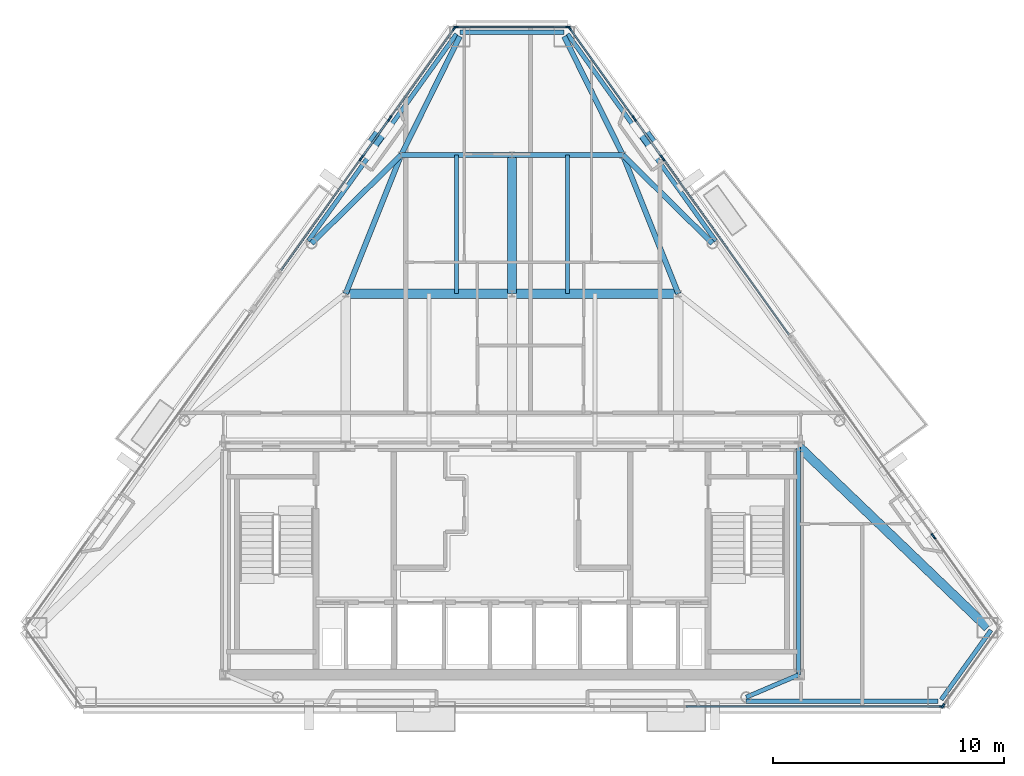
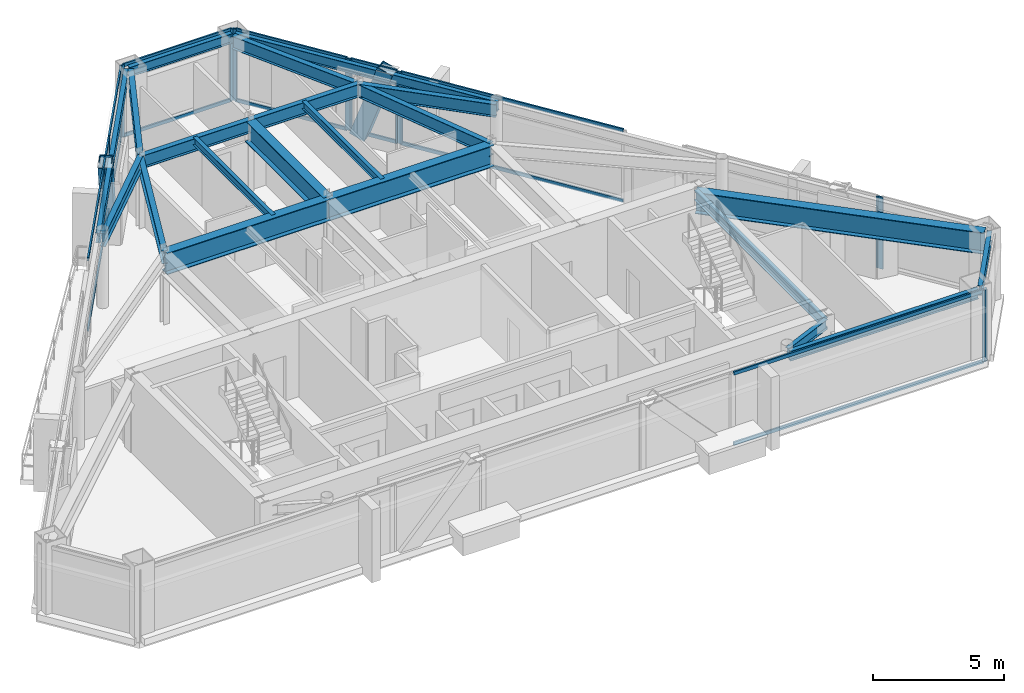
# One storey, part 5 of 12: 34 members, 21 beams, 11 elements without a shape of their own.
"""IFC4 building model written with IfcOpenShell, lengths in metres."""

import ifcopenshell
import ifcopenshell.guid

model = None  # the IFC model being written
_history = None  # IfcOwnerHistory: only IFC2X3 demands one
_inside = {}  # id of a spatial element -> (the spatial element, [elements in it])
_under = {}  # id of a project, library or spatial element -> (it, [spatial elements below it])
_declared = {}  # id of a project -> (the project, [libraries it declares])
_typed = {}  # id of a type object -> (the type object, [elements of that type])
_made_of = {}  # id of a material, layer set ... -> (it, [elements and type objects made of it])


def new_model(schema):
    """Start an empty IFC model of exactly this schema.

    Asked for "IFC4X3", IfcOpenShell would pick the latest addendum, in which some entities
    have other attributes; the version numbers below select the first issue.
    IFC2X3 requires an IfcOwnerHistory on every rooted entity: one is made here for all.
    """
    global model, _history
    if schema == "IFC4X3":
        model = ifcopenshell.file(schema_version=(4, 3, 0, 0))
    else:
        model = ifcopenshell.file(schema=schema)
    _inside.clear()
    _under.clear()
    _declared.clear()
    _typed.clear()
    _made_of.clear()
    _history = None
    if model.schema == "IFC2X3":
        org = make("IfcOrganization", Name="unknown")
        user = make(
            "IfcPersonAndOrganization",
            ThePerson=make("IfcPerson", FamilyName="unknown"),
            TheOrganization=org,
        )
        app = make(
            "IfcApplication",
            ApplicationDeveloper=org,
            Version="unknown",
            ApplicationFullName="unknown",
            ApplicationIdentifier="unknown",
        )
        _history = make(
            "IfcOwnerHistory",
            OwningUser=user,
            OwningApplication=app,
            ChangeAction="ADDED",
            CreationDate=0,
        )
    return model


def make(cls, **values):
    """One entity of the class cls with the attributes given. An attribute that is None is left unset."""
    return model.create_entity(
        cls, **{name: value for name, value in values.items() if value is not None}
    )


def rooted(cls, **values):
    """An entity with a GlobalId (a new one), such as an element, a storey or a relation."""
    return make(cls, GlobalId=ifcopenshell.guid.new(), OwnerHistory=_history, **values)


def si_unit(unit_type, name, prefix=None):
    """IfcSIUnit, for example si_unit("LENGTHUNIT", "METRE", prefix="MILLI")."""
    return make("IfcSIUnit", UnitType=unit_type, Prefix=prefix, Name=name)


def assignment(units):
    """IfcUnitAssignment: the units of a project."""
    return None if units is None else make("IfcUnitAssignment", Units=units)


def point(xyz):
    """IfcCartesianPoint."""
    return None if xyz is None else make("IfcCartesianPoint", Coordinates=xyz)


def direction(xyz):
    """IfcDirection."""
    return None if xyz is None else make("IfcDirection", DirectionRatios=xyz)


def frame(location, z_axis=None, x_axis=None):
    """IfcAxis2Placement3D, a coordinate frame: its origin and axes. An axis left out is left unset."""
    return make(
        "IfcAxis2Placement3D",
        Location=point(location),
        Axis=direction(z_axis),
        RefDirection=direction(x_axis),
    )


def frame_2d(location, x_axis=None):
    """IfcAxis2Placement2D, a coordinate frame in the plane: its origin and x axis."""
    return make(
        "IfcAxis2Placement2D", Location=point(location), RefDirection=direction(x_axis)
    )


def origin():
    """The frame at (0, 0, 0) with its axes left unset."""
    return frame((0.0, 0.0, 0.0))


def origin_2d():
    """The frame at (0, 0) in the plane with its x axis left unset."""
    return frame_2d((0.0, 0.0))


def place(relative_to, where):
    """IfcLocalPlacement: puts the frame where relative to a parent placement (None: the world)."""
    return make(
        "IfcLocalPlacement", PlacementRelTo=relative_to, RelativePlacement=where
    )


def context(
    kind, dimensions, precision=None, world=None, true_north=None, identifier=None
):
    """IfcGeometricRepresentationContext, for example the 3D "Model" context."""
    return make(
        "IfcGeometricRepresentationContext",
        ContextIdentifier=identifier,
        ContextType=kind,
        CoordinateSpaceDimension=dimensions,
        Precision=precision,
        WorldCoordinateSystem=world,
        TrueNorth=true_north,
    )


def subcontext(parent, identifier, kind, view, scale=None):
    """IfcGeometricRepresentationSubContext, for example "Body" below "Model"."""
    return make(
        "IfcGeometricRepresentationSubContext",
        ContextIdentifier=identifier,
        ContextType=kind,
        ParentContext=parent,
        TargetScale=scale,
        TargetView=view,
    )


def project(units=None, contexts=None):
    """IfcProject with its units and contexts."""
    return rooted(
        "IfcProject",
        Name="project",
        RepresentationContexts=contexts,
        UnitsInContext=assignment(units),
    )


def spatial(cls, under=None, at=None, **own):
    """A site, building, storey or space (cls), placed at a placement, below another one or the project."""
    s = rooted(cls, ObjectPlacement=at, **own)
    if under is not None:
        _under.setdefault(under.id(), (under, []))[1].append(s)
    return s


def profile(cls, at=None, kind="AREA", **sizes):
    """A parametric profile (cls). Its sizes go by their IFC names, for example OverallWidth=200.0."""
    return make(cls, ProfileType=kind, Position=at, **sizes)


def rectangle(**sizes):
    """IfcRectangleProfileDef."""
    return profile("IfcRectangleProfileDef", **sizes)


def hollow_rectangle(**sizes):
    """IfcRectangleHollowProfileDef."""
    return profile("IfcRectangleHollowProfileDef", **sizes)


def i_section(**sizes):
    """IfcIShapeProfileDef."""
    return profile("IfcIShapeProfileDef", **sizes)


def extrude(swept, where, along, depth):
    """IfcExtrudedAreaSolid: the profile swept, set in the frame where, extruded along a direction by depth."""
    return make(
        "IfcExtrudedAreaSolid",
        SweptArea=swept,
        Position=where,
        ExtrudedDirection=direction(along),
        Depth=depth,
    )


def shape(context_of_items, identifier, shape_type, items):
    """IfcShapeRepresentation: the items that make up one representation, for example the "Body"."""
    return make(
        "IfcShapeRepresentation",
        ContextOfItems=context_of_items,
        RepresentationIdentifier=identifier,
        RepresentationType=shape_type,
        Items=items,
    )


def material(Name=None, Category=None):
    """IfcMaterial."""
    return make("IfcMaterial", Name=Name, Category=Category)


def layer(
    of_material, thickness, ventilated=None, Name=None, Category=None, Priority=None
):
    """IfcMaterialLayer: one layer of a wall or slab, of a material (None: an air gap)."""
    return make(
        "IfcMaterialLayer",
        Material=of_material,
        LayerThickness=thickness,
        IsVentilated=ventilated,
        Name=Name,
        Category=Category,
        Priority=Priority,
    )


def layer_set(layers, Name=None):
    """IfcMaterialLayerSet."""
    return make("IfcMaterialLayerSet", MaterialLayers=layers, LayerSetName=Name)


def material_profile(
    of_material, cross_section, Name=None, Category=None, Priority=None
):
    """IfcMaterialProfile: a cross section and its material."""
    return make(
        "IfcMaterialProfile",
        Name=Name,
        Material=of_material,
        Profile=cross_section,
        Priority=Priority,
        Category=Category,
    )


def profile_set(profiles, Name=None, composite=None):
    """IfcMaterialProfileSet."""
    return make(
        "IfcMaterialProfileSet",
        Name=Name,
        MaterialProfiles=profiles,
        CompositeProfile=composite,
    )


def made_of(thing, what):
    """Note that an element or type object is made of a material, layer set ...; save() writes the relation."""
    if what is not None:
        _made_of.setdefault(what.id(), (what, []))[1].append(thing)
    return thing


def type_object(cls, material=None, **own):
    """A type object (cls), such as IfcWallType, which elements share."""
    return made_of(rooted(cls, **own), material)


def element(
    cls,
    number,
    at=None,
    inside=None,
    cuts=None,
    type_object=None,
    material=None,
    context=None,
    identifier="Body",
    shape_type=None,
    held_by="IfcProductDefinitionShape",
    body=None,
    shapes=None,
    **own,
):
    """One element of the class cls, such as IfcWall. Its Tag is "e" and its number.

    at: its placement. inside: the storey or other place that contains it. cuts: it is an
    opening in that element (IfcRelVoidsElement). A single representation is given by context,
    identifier, shape_type and body (its items); several are given by shapes. held_by: the class
    of the entity that holds the representations. save() writes the other relations.
    """
    e = rooted(cls, Tag="e%d" % number, ObjectPlacement=at, **own)
    if body is not None:
        shapes = [shape(context, identifier, shape_type, body)]
    if shapes is not None:
        e.Representation = make(held_by, Representations=shapes)
    if inside is not None:
        _inside.setdefault(inside.id(), (inside, []))[1].append(e)
    if cuts is not None:
        rooted(
            "IfcRelVoidsElement", RelatingBuildingElement=cuts, RelatedOpeningElement=e
        )
    if type_object is not None:
        _typed.setdefault(type_object.id(), (type_object, []))[1].append(e)
    return made_of(e, material)


def aggregate(whole, parts):
    """IfcRelAggregates: a whole, such as a stair, and the parts it consists of."""
    return rooted("IfcRelAggregates", RelatingObject=whole, RelatedObjects=parts)


def save(model, path):
    """Write the relations noted so far, then the file.

    IfcRelAggregates (storeys below a building ...), IfcRelContainedInSpatialStructure (elements
    in a storey), IfcRelDefinesByType, IfcRelAssociatesMaterial and IfcRelDeclares: one each for
    every whole, place, type object, material and project.
    """
    for whole, parts in _under.values():
        aggregate(whole, parts)
    for where, things in _inside.values():
        rooted(
            "IfcRelContainedInSpatialStructure",
            RelatedElements=things,
            RelatingStructure=where,
        )
    for kind, things in _typed.values():
        rooted("IfcRelDefinesByType", RelatedObjects=things, RelatingType=kind)
    for what, things in _made_of.values():
        rooted("IfcRelAssociatesMaterial", RelatedObjects=things, RelatingMaterial=what)
    for by, libraries in _declared.values():
        rooted("IfcRelDeclares", RelatingContext=by, RelatedDefinitions=libraries)
    model.write(path)


model = new_model("IFC4")

# Units and contexts
model_context = context("Model", 3, precision=1e-05, world=origin(), true_north=direction((0.0, 1.0)))
body_context = subcontext(model_context, "Body", "Model", "MODEL_VIEW")
ifc_project = project(units=[si_unit("LENGTHUNIT", "METRE"), si_unit("AREAUNIT", "SQUARE_METRE"), si_unit("VOLUMEUNIT", "CUBIC_METRE"), si_unit("PLANEANGLEUNIT", "RADIAN"), si_unit("MASSUNIT", "GRAM", prefix="KILO")], contexts=[model_context])

# Site, building, storey
site_placement = place(None, origin())
site = spatial("IfcSite", under=ifc_project, at=site_placement, CompositionType="ELEMENT")
building_placement = place(site_placement, origin())
building = spatial("IfcBuilding", under=site, at=building_placement, Name="Talgorran Terracotta Tower", CompositionType="ELEMENT")
storey_placement = place(building_placement, frame((0.0, 0.0, 256.199951171875)))
storey = spatial("IfcBuildingStorey", under=building, at=storey_placement, Name="L67", CompositionType="ELEMENT", Elevation=256.199951171875)

# Beams
ifc_material_1 = material(Name="Steel Grade 350 (350L0)", Category="steel")
ifc_material_profile_1 = material_profile(ifc_material_1, i_section(OverallWidth=0.39990234375, OverallDepth=1.0, WebThickness=0.01611328125, FlangeThickness=0.031005859375, at=origin_2d()), Name="1000WB296")
ifc_profile_set_1 = profile_set([ifc_material_profile_1], Name="Steel Grade 350 (350L0)")
beam_type_1 = type_object("IfcBeamType", Name="BM_1000WB296", PredefinedType="BEAM", material=ifc_profile_set_1)
for number, where, z_axis, x_axis, name in (
    (1, (-7.199951171875, 2.39990234375, 2.844970703125), (1.0, 0.0, 0.0), (0.0, 1.0, 0.0), "L67 Floor Girder G04"),
    (2, (0.0, 2.39990234375, 2.844970703125), (1.0, 0.0, 0.0), (0.0, 1.0, 0.0), "L67 Floor Girder G05"),
):
    element("IfcBeam", number, at=place(storey_placement, frame(where, z_axis=z_axis, x_axis=x_axis)), inside=storey, type_object=beam_type_1, Name=name, PredefinedType="BEAM", context=body_context, shape_type="SweptSolid", body=[
        extrude(i_section(OverallWidth=0.39990234375, OverallDepth=1.0, WebThickness=0.01611328125, FlangeThickness=0.031005859375, at=origin_2d()), origin(), (0.0, 0.0, 1.0), 7.199951171875),
    ])
beam_1_placement = place(storey_placement, frame((0.0, 2.39990234375, 2.844970703125), z_axis=(0.0, 1.0, 0.0), x_axis=(-1.0, 0.0, 0.0)))
element("IfcBeam", 3, at=beam_1_placement, inside=storey, type_object=beam_type_1, Name="L67 Floor Girder G09", PredefinedType="BEAM", context=body_context, shape_type="SweptSolid", body=[
    extrude(i_section(OverallWidth=0.39990234375, OverallDepth=1.0, WebThickness=0.01611328125, FlangeThickness=0.031005859375, at=origin_2d()), origin(), (0.0, 0.0, 1.0), 6.0),
])
beam_2_placement = place(storey_placement, frame((12.39990234375, -4.199951171875, 2.844970703125), z_axis=(0.721440209588, -0.692476731731, 0.0), x_axis=(0.692476731731, 0.721440209588, 0.0)))
element("IfcBeam", 4, at=beam_2_placement, inside=storey, type_object=beam_type_1, Name="L67 Floor Girder G18", PredefinedType="BEAM", context=body_context, shape_type="SweptSolid", body=[
    extrude(i_section(OverallWidth=0.39990234375, OverallDepth=1.0, WebThickness=0.01611328125, FlangeThickness=0.031005859375, at=origin_2d()), origin(), (0.0, 0.0, 1.0), 11.345703125),
])
ifc_material_2 = material(Name="Steel S355 (300PLUS)", Category="steel")
ifc_material_profile_2 = material_profile(ifc_material_2, i_section(OverallWidth=0.22802734375, OverallDepth=0.60205078125, WebThickness=0.010498046875, FlangeThickness=0.014892578125, at=origin_2d()), Name="610UB101")
ifc_profile_set_2 = profile_set([ifc_material_profile_2], Name="Steel S355 (300PLUS)")
beam_type_2 = type_object("IfcBeamType", Name="BM_610UB101", PredefinedType="BEAM", material=ifc_profile_set_2)
for number, where, z_axis, x_axis, name in (
    (5, (-7.199951171875, 2.39990234375, 3.0439453125), (0.371377648723, 0.928481901832, 0.0), (-0.928481901832, 0.371377648723, 0.0), "L67 Floor Girder G08"),
    (6, (7.199951171875, 2.39990234375, 3.0439453125), (-0.371377648723, 0.928481901832, 0.0), (-0.928481901832, -0.371377648723, 0.0), "L67 Floor Girder G10"),
):
    element("IfcBeam", number, at=place(storey_placement, frame(where, z_axis=z_axis, x_axis=x_axis)), inside=storey, type_object=beam_type_2, Name=name, PredefinedType="BEAM", context=body_context, shape_type="SweptSolid", body=[
        extrude(i_section(OverallWidth=0.22802734375, OverallDepth=0.60205078125, WebThickness=0.010498046875, FlangeThickness=0.014892578125, at=origin_2d()), origin(), (0.0, 0.0, 1.0), 6.462158203125),
    ])
for number, where, z_axis, x_axis, name in (
    (7, (-4.800048828125, 8.39990234375, 3.0439453125), (1.0, 0.0, 0.0), (0.0, 1.0, 0.0), "L67 Floor Girder G11"),
    (8, (0.0, 8.39990234375, 3.0439453125), (1.0, 0.0, 0.0), (0.0, 1.0, 0.0), "L67 Floor Girder G12"),
):
    element("IfcBeam", number, at=place(storey_placement, frame(where, z_axis=z_axis, x_axis=x_axis)), inside=storey, type_object=beam_type_2, Name=name, PredefinedType="BEAM", context=body_context, shape_type="SweptSolid", body=[
        extrude(i_section(OverallWidth=0.22802734375, OverallDepth=0.60205078125, WebThickness=0.010498046875, FlangeThickness=0.014892578125, at=origin_2d()), origin(), (0.0, 0.0, 1.0), 4.800048828125),
    ])
for number, where, z_axis, x_axis, name in (
    (9, (-4.800048828125, 8.39990234375, 3.0439453125), (-0.711847800696, -0.702333758725, 0.0), (0.702333758725, -0.711847800696, 0.0), "L67 Floor Girder G13"),
    (10, (4.800048828125, 8.39990234375, 3.0439453125), (0.711847800696, -0.702333758725, 0.0), (0.702333758725, 0.711847800696, 0.0), "L67 Floor Girder G14"),
):
    element("IfcBeam", number, at=place(storey_placement, frame(where, z_axis=z_axis, x_axis=x_axis)), inside=storey, type_object=beam_type_2, Name=name, PredefinedType="BEAM", context=body_context, shape_type="SweptSolid", body=[
        extrude(i_section(OverallWidth=0.22802734375, OverallDepth=0.60205078125, WebThickness=0.010498046875, FlangeThickness=0.014892578125, at=origin_2d()), origin(), (0.0, 0.0, 1.0), 5.440185546875),
    ])
for number, where, z_axis, x_axis, name in (
    (11, (-4.800048828125, 8.39990234375, 3.0439453125), (0.443529350633, 0.896259847994, 0.0), (-0.896259847994, 0.443529350633, 0.0), "L67 Floor Girder G15"),
    (12, (4.800048828125, 8.39990234375, 3.0439453125), (-0.443529350633, 0.896259847994, 0.0), (-0.896259847994, -0.443529350633, 0.0), "L67 Floor Girder G16"),
):
    element("IfcBeam", number, at=place(storey_placement, frame(where, z_axis=z_axis, x_axis=x_axis)), inside=storey, type_object=beam_type_2, Name=name, PredefinedType="BEAM", context=body_context, shape_type="SweptSolid", body=[
        extrude(i_section(OverallWidth=0.22802734375, OverallDepth=0.60205078125, WebThickness=0.010498046875, FlangeThickness=0.014892578125, at=origin_2d()), origin(), (0.0, 0.0, 1.0), 5.731201171875),
    ])
ifc_material_profile_3 = material_profile(ifc_material_2, i_section(OverallWidth=0.17138671875, OverallDepth=0.355712890625, WebThickness=0.00732421875, FlangeThickness=0.011474609375, at=origin_2d()), Name="360UB50.7")
ifc_profile_set_3 = profile_set([ifc_material_profile_3], Name="Steel S355 (300PLUS)")
beam_type_3 = type_object("IfcBeamType", Name="BM_JS_360UB51", PredefinedType="JOIST", material=ifc_profile_set_3)
for number, where, z_axis, x_axis, name in (
    (13, (-2.39990234375, 2.39990234375, 3.167236328125), (0.0, 1.0, 0.0), (-1.0, 0.0, 0.0), "L67 Secondary Joist J03"),
    (14, (2.39990234375, 2.39990234375, 3.167236328125), (0.0, 1.0, 0.0), (-1.0, 0.0, 0.0), "L67 Secondary Joist J04"),
):
    element("IfcBeam", number, at=place(storey_placement, frame(where, z_axis=z_axis, x_axis=x_axis)), inside=storey, type_object=beam_type_3, Name=name, PredefinedType="JOIST", context=body_context, shape_type="SweptSolid", body=[
        extrude(i_section(OverallWidth=0.17138671875, OverallDepth=0.355712890625, WebThickness=0.00732421875, FlangeThickness=0.011474609375, at=origin_2d()), origin(), (0.0, 0.0, 1.0), 6.0),
    ])
ifc_material_profile_4 = material_profile(ifc_material_2, i_section(OverallWidth=0.18994140625, OverallDepth=0.45703125, WebThickness=0.009033203125, FlangeThickness=0.014404296875, at=origin_2d()), Name="460UB74.6")
ifc_profile_set_4 = profile_set([ifc_material_profile_4], Name="Steel S355 (300PLUS)")
beam_type_4 = type_object("IfcBeamType", Name="BM_SP_460UB74", PredefinedType="SPANDREL", material=ifc_profile_set_4)
beam_3_placement = place(storey_placement, frame((10.1376953125, -15.243408203125, 3.116455078125), z_axis=(1.0, 0.0, 0.0), x_axis=(0.0, 1.0, 0.0)))
element("IfcBeam", 15, at=beam_3_placement, inside=storey, type_object=beam_type_4, Name="L67 Perimeter Spandrel Beam FC2-MC3", PredefinedType="SPANDREL", context=body_context, shape_type="SweptSolid", body=[
    extrude(i_section(OverallWidth=0.18994140625, OverallDepth=0.45703125, WebThickness=0.009033203125, FlangeThickness=0.014404296875, at=origin_2d()), origin(), (0.0, 0.0, 1.0), 8.29443359375),
])
beam_4_placement = place(storey_placement, frame((18.578369140625, -15.168212890625, 3.116455078125), z_axis=(0.582224487769, 0.813028071989, 0.0), x_axis=(-0.813028071989, 0.582224487769, 0.0)))
element("IfcBeam", 16, at=beam_4_placement, inside=storey, type_object=beam_type_4, Name="L67 Perimeter Spandrel Beam MC3-MC4", PredefinedType="SPANDREL", context=body_context, shape_type="SweptSolid", body=[
    extrude(i_section(OverallWidth=0.18994140625, OverallDepth=0.45703125, WebThickness=0.009033203125, FlangeThickness=0.014404296875, at=origin_2d()), origin(), (0.0, 0.0, 1.0), 3.697998046875),
])
beam_5_placement = place(storey_placement, frame((8.81884765625, 4.683837890625, 3.116455078125), z_axis=(-0.58220828918, 0.813039671855, 0.0), x_axis=(-0.813039671855, -0.58220828918, 0.0)))
element("IfcBeam", 17, at=beam_5_placement, inside=storey, type_object=beam_type_4, Name="L67 Perimeter Spandrel Beam FC4-MC5", PredefinedType="SPANDREL", context=body_context, shape_type="SweptSolid", body=[
    extrude(i_section(OverallWidth=0.18994140625, OverallDepth=0.45703125, WebThickness=0.009033203125, FlangeThickness=0.014404296875, at=origin_2d()), origin(), (0.0, 0.0, 1.0), 11.017578125),
])
beam_6_placement = place(storey_placement, frame((2.258056640625, 13.716796875, 3.116455078125), z_axis=(-1.0, 0.0, 0.0), x_axis=(0.0, -1.0, 0.0)))
element("IfcBeam", 18, at=beam_6_placement, inside=storey, type_object=beam_type_4, Name="L67 Perimeter Spandrel Beam MC5-MC6", PredefinedType="SPANDREL", context=body_context, shape_type="SweptSolid", body=[
    extrude(i_section(OverallWidth=0.18994140625, OverallDepth=0.45703125, WebThickness=0.009033203125, FlangeThickness=0.014404296875, at=origin_2d()), origin(), (0.0, 0.0, 1.0), 4.51611328125),
])
beam_7_placement = place(storey_placement, frame((-2.404296875, 13.6416015625, 3.116455078125), z_axis=(-0.58220828918, -0.813039671855, 0.0), x_axis=(0.813039671855, -0.58220828918, 0.0)))
element("IfcBeam", 19, at=beam_7_placement, inside=storey, type_object=beam_type_4, Name="L67 Perimeter Spandrel Beam MC6-FC5", PredefinedType="SPANDREL", context=body_context, shape_type="SweptSolid", body=[
    extrude(i_section(OverallWidth=0.18994140625, OverallDepth=0.45703125, WebThickness=0.009033203125, FlangeThickness=0.014404296875, at=origin_2d()), origin(), (0.0, 0.0, 1.0), 11.017578125),
])
beam_8_placement = place(storey_placement, frame((12.39990234375, -14.10009765625, 3.116455078125), z_axis=(-0.920082307349, -0.391725092002, 0.0), x_axis=(0.391725092002, -0.920082307349, 0.0)))
element("IfcBeam", 20, at=beam_8_placement, inside=storey, type_object=beam_type_4, Name="L67 South-East Core Tie Beam", PredefinedType="SPANDREL", context=body_context, shape_type="SweptSolid", body=[
    extrude(i_section(OverallWidth=0.18994140625, OverallDepth=0.45703125, WebThickness=0.009033203125, FlangeThickness=0.014404296875, at=origin_2d()), origin(), (0.0, 0.0, 1.0), 2.458740234375),
])
beam_9_placement = place(storey_placement, frame((12.39990234375, -14.10009765625, 3.116455078125), z_axis=(0.0, 1.0, 0.0), x_axis=(-1.0, 0.0, 0.0)))
element("IfcBeam", 21, at=beam_9_placement, inside=storey, type_object=beam_type_4, Name="L67 Core Frame Beam CFE", PredefinedType="SPANDREL", context=body_context, shape_type="SweptSolid", body=[
    extrude(i_section(OverallWidth=0.18994140625, OverallDepth=0.45703125, WebThickness=0.009033203125, FlangeThickness=0.014404296875, at=origin_2d()), origin(), (0.0, 0.0, 1.0), 9.900146484375),
])

# Members
ifc_material_profile_5 = material_profile(ifc_material_1, hollow_rectangle(XDim=0.52001953125, YDim=0.659912109375, WallThickness=0.034912109375, at=origin_2d()), Name="WBOX660X520X35")
ifc_profile_set_5 = profile_set([ifc_material_profile_5], Name="Steel Grade 350 (350L0)")
member_type_1 = type_object("IfcMemberType", Name="MB_MEGA_660", PredefinedType="BRACE", material=ifc_profile_set_5)
for number, where, z_axis, x_axis, name in (
    (22, (5.5283203125, 9.58837890625, -0.02490234375), (0.191261638386, -0.267127849351, 0.944490178765), (0.813076438764, 0.582156941663, 0.0), "L67 Exterior Face Mega-Brace MB-3 (NEU)"),
    (23, (-5.5283203125, 9.58837890625, -0.02490234375), (-0.191261638386, -0.267127849351, 0.944490178765), (0.813076438764, -0.582156941663, 0.0), "L67 Exterior Face Mega-Brace MB-3 (NWU)"),
):
    element("IfcMember", number, at=place(storey_placement, frame(where, z_axis=z_axis, x_axis=x_axis)), inside=storey, type_object=member_type_1, Name=name, PredefinedType="BRACE", context=body_context, shape_type="SweptSolid", body=[
        extrude(hollow_rectangle(XDim=0.52001953125, YDim=0.659912109375, WallThickness=0.034912109375, at=origin_2d()), origin(), (0.0, 0.0, 1.0), 3.594482421875),
    ])

# Curtain wall, member
ifc_material_3 = material(Name="High-Wind Unitised Glazing", Category="glass")
ifc_layer = layer(ifc_material_3, 0.2099609375, Name="CW_SYS3_RES_HIGH")
ifc_layer_set = layer_set([ifc_layer], Name="High-Wind Unitised Glazing")
curtain_wall_type = type_object("IfcCurtainWallType", Name="CW_SYS3_RES_HIGH", PredefinedType="NOTDEFINED", material=ifc_layer_set)
curtain_wall_1_placement = place(storey_placement, origin())
curtain_wall_1 = element("IfcCurtainWall", 24, at=curtain_wall_1_placement, inside=storey, type_object=curtain_wall_type, Name="CW-L67-F1E", PredefinedType="NOTDEFINED")
ifc_material_4 = material(Name="Architectural Aluminium 6063-T6", Category="aluminium")
ifc_material_profile_6 = material_profile(ifc_material_4, rectangle(XDim=0.070068359375, YDim=0.199951171875, at=origin_2d()), Name="CWM70X200")
ifc_profile_set_6 = profile_set([ifc_material_profile_6], Name="Architectural Aluminium 6063-T6")
member_type_2 = type_object("IfcMemberType", Name="MUL_70X200", PredefinedType="MULLION", material=ifc_profile_set_6)
member_1_placement = place(storey_placement, frame((18.6025390625, -15.46337890625, 0.0), z_axis=(0.0, 0.0, 1.0), x_axis=(0.0, 1.0, 0.0)))
member_1 = element("IfcMember", 25, at=member_1_placement, type_object=member_type_2, Name="CW-L67-1E mullion 2", PredefinedType="MULLION", context=body_context, shape_type="SweptSolid", body=[
    extrude(rectangle(XDim=0.070068359375, YDim=0.199951171875, at=origin_2d()), origin(), (0.0, 0.0, 1.0), 3.344970703125),
])

curtain_wall_2_placement = place(storey_placement, origin())
curtain_wall_2 = element("IfcCurtainWall", 26, at=curtain_wall_2_placement, inside=storey, type_object=curtain_wall_type, Name="CW-L67-F2", PredefinedType="NOTDEFINED")
member_2_placement = place(storey_placement, frame((18.657958984375, -15.434814453125, 0.0), z_axis=(0.0, 0.0, 1.0), x_axis=(-0.813031401137, 0.582219838862, 0.0)))
member_2 = element("IfcMember", 27, at=member_2_placement, type_object=member_type_2, Name="CW-L67-2 mullion 1", PredefinedType="MULLION", context=body_context, shape_type="SweptSolid", body=[
    extrude(rectangle(XDim=0.070068359375, YDim=0.199951171875, at=origin_2d()), origin(), (0.0, 0.0, 1.0), 3.344970703125),
])
aggregate(curtain_wall_2, [member_2])

curtain_wall_3_placement = place(storey_placement, origin())
curtain_wall_3 = element("IfcCurtainWall", 28, at=curtain_wall_3_placement, inside=storey, type_object=curtain_wall_type, Name="CW-L67-F40", PredefinedType="NOTDEFINED")
member_3_placement = place(storey_placement, frame((18.267333984375, -8.133056640625, 0.0), z_axis=(0.0, 0.0, 1.0), x_axis=(-0.813037722593, -0.582211011267, 0.0)))
member_3 = element("IfcMember", 29, at=member_3_placement, type_object=member_type_2, Name="CW-L67-40 mullion 2", PredefinedType="MULLION", context=body_context, shape_type="SweptSolid", body=[
    extrude(rectangle(XDim=0.070068359375, YDim=0.199951171875, at=origin_2d()), origin(), (0.0, 0.0, 1.0), 3.344970703125),
])
aggregate(curtain_wall_3, [member_3])

curtain_wall_4_placement = place(storey_placement, origin())
curtain_wall_4 = element("IfcCurtainWall", 30, at=curtain_wall_4_placement, inside=storey, type_object=curtain_wall_type, Name="CW-L67-F40B", PredefinedType="NOTDEFINED")
member_4_placement = place(storey_placement, frame((18.220703125, -8.06787109375, 0.0), z_axis=(0.0, 0.0, 1.0), x_axis=(-0.813029580592, -0.582222381125, 0.0)))
member_4 = element("IfcMember", 31, at=member_4_placement, type_object=member_type_2, Name="CW-L67-40B mullion 1", PredefinedType="MULLION", context=body_context, shape_type="SweptSolid", body=[
    extrude(rectangle(XDim=0.070068359375, YDim=0.199951171875, at=origin_2d()), origin(), (0.0, 0.0, 1.0), 3.344970703125),
])
aggregate(curtain_wall_4, [member_4])

curtain_wall_5_placement = place(storey_placement, origin())
curtain_wall_5 = element("IfcCurtainWall", 32, at=curtain_wall_5_placement, inside=storey, type_object=curtain_wall_type, Name="CW-L67-F41", PredefinedType="NOTDEFINED")
member_5_placement = place(storey_placement, frame((6.540283203125, 8.24365234375, 0.0), z_axis=(0.0, 0.0, 1.0), x_axis=(-0.813042039297, -0.58220498309, 0.0)))
member_5 = element("IfcMember", 33, at=member_5_placement, type_object=member_type_2, Name="CW-L67-41 mullion 2", PredefinedType="MULLION", context=body_context, shape_type="SweptSolid", body=[
    extrude(rectangle(XDim=0.070068359375, YDim=0.199951171875, at=origin_2d()), origin(), (0.0, 0.0, 1.0), 3.344970703125),
])

# Curtain wall, members
curtain_wall_6_placement = place(storey_placement, origin())
curtain_wall_6 = element("IfcCurtainWall", 34, at=curtain_wall_6_placement, inside=storey, type_object=curtain_wall_type, Name="CW-L67-F41B", PredefinedType="NOTDEFINED")
member_6_placement = place(storey_placement, frame((6.493896484375, 8.30859375, 0.0), z_axis=(0.0, 0.0, 1.0), x_axis=(-0.813029580592, -0.582222381125, 0.0)))
member_6 = element("IfcMember", 35, at=member_6_placement, type_object=member_type_2, Name="CW-L67-41B mullion 1", PredefinedType="MULLION", context=body_context, shape_type="SweptSolid", body=[
    extrude(rectangle(XDim=0.070068359375, YDim=0.199951171875, at=origin_2d()), origin(), (0.0, 0.0, 1.0), 3.344970703125),
])
member_7_placement = place(storey_placement, frame((5.315185546875, 9.95458984375, 0.0), z_axis=(0.0, 0.0, 1.0), x_axis=(-0.813029580592, -0.582222381125, 0.0)))
member_7 = element("IfcMember", 36, at=member_7_placement, type_object=member_type_2, Name="CW-L67-41B mullion 2", PredefinedType="MULLION", context=body_context, shape_type="SweptSolid", body=[
    extrude(rectangle(XDim=0.070068359375, YDim=0.199951171875, at=origin_2d()), origin(), (0.0, 0.0, 1.0), 3.344970703125),
])

curtain_wall_7_placement = place(storey_placement, origin())
curtain_wall_7 = element("IfcCurtainWall", 37, at=curtain_wall_7_placement, inside=storey, type_object=curtain_wall_type, Name="CW-L67-F41C", PredefinedType="NOTDEFINED")
member_8_placement = place(storey_placement, frame((5.2685546875, 10.01953125, 0.0), z_axis=(0.0, 0.0, 1.0), x_axis=(-0.813042187003, -0.582204776821, 0.0)))
member_8 = element("IfcMember", 38, at=member_8_placement, type_object=member_type_2, Name="CW-L67-41C mullion 1", PredefinedType="MULLION", context=body_context, shape_type="SweptSolid", body=[
    extrude(rectangle(XDim=0.070068359375, YDim=0.199951171875, at=origin_2d()), origin(), (0.0, 0.0, 1.0), 3.344970703125),
])
member_9_placement = place(storey_placement, frame((2.50732421875, 13.875732421875, 0.0), z_axis=(0.0, 0.0, 1.0), x_axis=(-0.813042187003, -0.582204776821, 0.0)))
member_9 = element("IfcMember", 39, at=member_9_placement, type_object=member_type_2, Name="CW-L67-41C mullion 2", PredefinedType="MULLION", context=body_context, shape_type="SweptSolid", body=[
    extrude(rectangle(XDim=0.070068359375, YDim=0.199951171875, at=origin_2d()), origin(), (0.0, 0.0, 1.0), 3.344970703125),
])

curtain_wall_8_placement = place(storey_placement, origin())
curtain_wall_8 = element("IfcCurtainWall", 40, at=curtain_wall_8_placement, inside=storey, type_object=curtain_wall_type, Name="CW-L67-F4", PredefinedType="NOTDEFINED")
member_10_placement = place(storey_placement, frame((2.4287109375, 13.936767578125, 0.0), z_axis=(0.0, 0.0, 1.0), x_axis=(0.0, -1.0, 0.0)))
member_10 = element("IfcMember", 41, at=member_10_placement, type_object=member_type_2, Name="CW-L67-4 mullion 1", PredefinedType="MULLION", context=body_context, shape_type="SweptSolid", body=[
    extrude(rectangle(XDim=0.070068359375, YDim=0.199951171875, at=origin_2d()), origin(), (0.0, 0.0, 1.0), 3.344970703125),
])
member_11_placement = place(storey_placement, frame((-2.4287109375, 13.936767578125, 0.0), z_axis=(0.0, 0.0, 1.0), x_axis=(0.0, -1.0, 0.0)))
member_11 = element("IfcMember", 42, at=member_11_placement, type_object=member_type_2, Name="CW-L67-4 mullion 2", PredefinedType="MULLION", context=body_context, shape_type="SweptSolid", body=[
    extrude(rectangle(XDim=0.070068359375, YDim=0.199951171875, at=origin_2d()), origin(), (0.0, 0.0, 1.0), 3.344970703125),
])

curtain_wall_9_placement = place(storey_placement, origin())
curtain_wall_9 = element("IfcCurtainWall", 43, at=curtain_wall_9_placement, inside=storey, type_object=curtain_wall_type, Name="CW-L67-F60", PredefinedType="NOTDEFINED")
member_12_placement = place(storey_placement, frame((-2.50732421875, 13.875732421875, 0.0), z_axis=(0.0, 0.0, 1.0), x_axis=(0.813042187003, -0.582204776821, 0.0)))
member_12 = element("IfcMember", 44, at=member_12_placement, type_object=member_type_2, Name="CW-L67-60 mullion 1", PredefinedType="MULLION", context=body_context, shape_type="SweptSolid", body=[
    extrude(rectangle(XDim=0.070068359375, YDim=0.199951171875, at=origin_2d()), origin(), (0.0, 0.0, 1.0), 3.344970703125),
])
member_13_placement = place(storey_placement, frame((-5.2685546875, 10.01953125, 0.0), z_axis=(0.0, 0.0, 1.0), x_axis=(0.813042187003, -0.582204776821, 0.0)))
member_13 = element("IfcMember", 45, at=member_13_placement, type_object=member_type_2, Name="CW-L67-60 mullion 2", PredefinedType="MULLION", context=body_context, shape_type="SweptSolid", body=[
    extrude(rectangle(XDim=0.070068359375, YDim=0.199951171875, at=origin_2d()), origin(), (0.0, 0.0, 1.0), 3.344970703125),
])

curtain_wall_10_placement = place(storey_placement, origin())
curtain_wall_10 = element("IfcCurtainWall", 46, at=curtain_wall_10_placement, inside=storey, type_object=curtain_wall_type, Name="CW-L67-F60B", PredefinedType="NOTDEFINED")
member_14_placement = place(storey_placement, frame((-5.315185546875, 9.95458984375, 0.0), z_axis=(0.0, 0.0, 1.0), x_axis=(0.813029580592, -0.582222381125, 0.0)))
member_14 = element("IfcMember", 47, at=member_14_placement, type_object=member_type_2, Name="CW-L67-60B mullion 1", PredefinedType="MULLION", context=body_context, shape_type="SweptSolid", body=[
    extrude(rectangle(XDim=0.070068359375, YDim=0.199951171875, at=origin_2d()), origin(), (0.0, 0.0, 1.0), 3.344970703125),
])
member_15_placement = place(storey_placement, frame((-6.493896484375, 8.30859375, 0.0), z_axis=(0.0, 0.0, 1.0), x_axis=(0.813029580592, -0.582222381125, 0.0)))
member_15 = element("IfcMember", 48, at=member_15_placement, type_object=member_type_2, Name="CW-L67-60B mullion 2", PredefinedType="MULLION", context=body_context, shape_type="SweptSolid", body=[
    extrude(rectangle(XDim=0.070068359375, YDim=0.199951171875, at=origin_2d()), origin(), (0.0, 0.0, 1.0), 3.344970703125),
])

# Curtain wall, member
curtain_wall_11_placement = place(storey_placement, origin())
curtain_wall_11 = element("IfcCurtainWall", 49, at=curtain_wall_11_placement, inside=storey, type_object=curtain_wall_type, Name="CW-L67-F60C", PredefinedType="NOTDEFINED")
member_16_placement = place(storey_placement, frame((-6.540283203125, 8.24365234375, 0.0), z_axis=(0.0, 0.0, 1.0), x_axis=(0.813038715177, -0.582209625155, 0.0)))
member_16 = element("IfcMember", 50, at=member_16_placement, type_object=member_type_2, Name="CW-L67-60C mullion 1", PredefinedType="MULLION", context=body_context, shape_type="SweptSolid", body=[
    extrude(rectangle(XDim=0.070068359375, YDim=0.199951171875, at=origin_2d()), origin(), (0.0, 0.0, 1.0), 3.344970703125),
])

# Member
ifc_material_profile_7 = material_profile(ifc_material_4, rectangle(XDim=0.070068359375, YDim=0.159912109375, at=origin_2d()), Name="CWT70X160")
ifc_profile_set_7 = profile_set([ifc_material_profile_7], Name="Architectural Aluminium 6063-T6")
member_type_3 = type_object("IfcMemberType", Name="TRN_70X160", PredefinedType="USERDEFINED", material=ifc_profile_set_7)
member_17_placement = place(storey_placement, frame((7.541015625, -15.46337890625, 0.03515625), z_axis=(1.0, 0.0, 0.0), x_axis=(0.0, 1.0, 0.0)))
member_17 = element("IfcMember", 51, at=member_17_placement, type_object=member_type_3, Name="CW-L67-1E transom 1.1", ObjectType="TRANSOM", PredefinedType="USERDEFINED", context=body_context, shape_type="SweptSolid", body=[
    extrude(rectangle(XDim=0.070068359375, YDim=0.159912109375, at=origin_2d()), origin(), (0.0, 0.0, 1.0), 11.026611328125),
])

member_18_placement = place(storey_placement, frame((7.541015625, -15.46337890625, 3.31005859375), z_axis=(1.0, 0.0, 0.0), x_axis=(0.0, 1.0, 0.0)))
member_18 = element("IfcMember", 52, at=member_18_placement, type_object=member_type_3, Name="CW-L67-1E transom 1.2", ObjectType="TRANSOM", PredefinedType="USERDEFINED", context=body_context, shape_type="SweptSolid", body=[
    extrude(rectangle(XDim=0.070068359375, YDim=0.159912109375, at=origin_2d()), origin(), (0.0, 0.0, 1.0), 11.026611328125),
])

aggregate(curtain_wall_1, [member_1, member_17, member_18])

member_19_placement = place(storey_placement, frame((11.9912109375, 0.631591796875, 0.03515625), z_axis=(-0.582205895955, 0.813041385611, 0.0), x_axis=(-0.813041385611, -0.582205895955, 0.0)))
member_19 = element("IfcMember", 53, at=member_19_placement, type_object=member_type_3, Name="CW-L67-41 transom 1.1", ObjectType="TRANSOM", PredefinedType="USERDEFINED", context=body_context, shape_type="SweptSolid", body=[
    extrude(rectangle(XDim=0.070068359375, YDim=0.159912109375, at=origin_2d()), origin(), (0.0, 0.0, 1.0), 9.327392578125),
])

member_20_placement = place(storey_placement, frame((11.9912109375, 0.631591796875, 3.31005859375), z_axis=(-0.582205895955, 0.813041385611, 0.0), x_axis=(-0.813041385611, -0.582205895955, 0.0)))
member_20 = element("IfcMember", 54, at=member_20_placement, type_object=member_type_3, Name="CW-L67-41 transom 1.2", ObjectType="TRANSOM", PredefinedType="USERDEFINED", context=body_context, shape_type="SweptSolid", body=[
    extrude(rectangle(XDim=0.070068359375, YDim=0.159912109375, at=origin_2d()), origin(), (0.0, 0.0, 1.0), 9.327392578125),
])

aggregate(curtain_wall_5, [member_5, member_19, member_20])

member_21_placement = place(storey_placement, frame((6.473388671875, 8.337158203125, 0.03515625), z_axis=(-0.582265811842, 0.812998477465, 0.0), x_axis=(-0.812998477465, -0.582265811842, 0.0)))
member_21 = element("IfcMember", 55, at=member_21_placement, type_object=member_type_3, Name="CW-L67-41B transom 1.1", ObjectType="TRANSOM", PredefinedType="USERDEFINED", context=body_context, shape_type="SweptSolid", body=[
    extrude(rectangle(XDim=0.070068359375, YDim=0.159912109375, at=origin_2d()), origin(), (0.0, 0.0, 1.0), 1.954345703125),
])

member_22_placement = place(storey_placement, frame((6.473388671875, 8.337158203125, 3.31005859375), z_axis=(-0.582265811842, 0.812998477465, 0.0), x_axis=(-0.812998477465, -0.582265811842, 0.0)))
member_22 = element("IfcMember", 56, at=member_22_placement, type_object=member_type_3, Name="CW-L67-41B transom 1.2", ObjectType="TRANSOM", PredefinedType="USERDEFINED", context=body_context, shape_type="SweptSolid", body=[
    extrude(rectangle(XDim=0.070068359375, YDim=0.159912109375, at=origin_2d()), origin(), (0.0, 0.0, 1.0), 1.954345703125),
])

aggregate(curtain_wall_6, [member_6, member_7, member_21, member_22])

member_23_placement = place(storey_placement, frame((5.248291015625, 10.048095703125, 0.03515625), z_axis=(-0.582241036352, 0.813016220987, 0.0), x_axis=(-0.813016220987, -0.582241036352, 0.0)))
member_23 = element("IfcMember", 57, at=member_23_placement, type_object=member_type_3, Name="CW-L67-41C transom 1.1", ObjectType="TRANSOM", PredefinedType="USERDEFINED", context=body_context, shape_type="SweptSolid", body=[
    extrude(rectangle(XDim=0.070068359375, YDim=0.159912109375, at=origin_2d()), origin(), (0.0, 0.0, 1.0), 4.6728515625),
])

member_24_placement = place(storey_placement, frame((5.248291015625, 10.048095703125, 3.31005859375), z_axis=(-0.582241036352, 0.813016220987, 0.0), x_axis=(-0.813016220987, -0.582241036352, 0.0)))
member_24 = element("IfcMember", 58, at=member_24_placement, type_object=member_type_3, Name="CW-L67-41C transom 1.2", ObjectType="TRANSOM", PredefinedType="USERDEFINED", context=body_context, shape_type="SweptSolid", body=[
    extrude(rectangle(XDim=0.070068359375, YDim=0.159912109375, at=origin_2d()), origin(), (0.0, 0.0, 1.0), 4.6728515625),
])

aggregate(curtain_wall_7, [member_8, member_9, member_23, member_24])

member_25_placement = place(storey_placement, frame((2.3935546875, 13.936767578125, 0.03515625), z_axis=(-1.0, 0.0, 0.0), x_axis=(0.0, -1.0, 0.0)))
member_25 = element("IfcMember", 59, at=member_25_placement, type_object=member_type_3, Name="CW-L67-4 transom 1.1", ObjectType="TRANSOM", PredefinedType="USERDEFINED", context=body_context, shape_type="SweptSolid", body=[
    extrude(rectangle(XDim=0.070068359375, YDim=0.159912109375, at=origin_2d()), origin(), (0.0, 0.0, 1.0), 4.787109375),
])

member_26_placement = place(storey_placement, frame((2.3935546875, 13.936767578125, 3.31005859375), z_axis=(-1.0, 0.0, 0.0), x_axis=(0.0, -1.0, 0.0)))
member_26 = element("IfcMember", 60, at=member_26_placement, type_object=member_type_3, Name="CW-L67-4 transom 1.2", ObjectType="TRANSOM", PredefinedType="USERDEFINED", context=body_context, shape_type="SweptSolid", body=[
    extrude(rectangle(XDim=0.070068359375, YDim=0.159912109375, at=origin_2d()), origin(), (0.0, 0.0, 1.0), 4.787109375),
])

aggregate(curtain_wall_8, [member_10, member_11, member_25, member_26])

member_27_placement = place(storey_placement, frame((-2.527587890625, 13.84716796875, 0.03515625), z_axis=(-0.582241036352, -0.813016220987, 0.0), x_axis=(0.813016220987, -0.582241036352, 0.0)))
member_27 = element("IfcMember", 61, at=member_27_placement, type_object=member_type_3, Name="CW-L67-60 transom 1.1", ObjectType="TRANSOM", PredefinedType="USERDEFINED", context=body_context, shape_type="SweptSolid", body=[
    extrude(rectangle(XDim=0.070068359375, YDim=0.159912109375, at=origin_2d()), origin(), (0.0, 0.0, 1.0), 4.6728515625),
])

member_28_placement = place(storey_placement, frame((-2.527587890625, 13.84716796875, 3.31005859375), z_axis=(-0.582241036352, -0.813016220987, 0.0), x_axis=(0.813016220987, -0.582241036352, 0.0)))
member_28 = element("IfcMember", 62, at=member_28_placement, type_object=member_type_3, Name="CW-L67-60 transom 1.2", ObjectType="TRANSOM", PredefinedType="USERDEFINED", context=body_context, shape_type="SweptSolid", body=[
    extrude(rectangle(XDim=0.070068359375, YDim=0.159912109375, at=origin_2d()), origin(), (0.0, 0.0, 1.0), 4.6728515625),
])

aggregate(curtain_wall_9, [member_12, member_13, member_27, member_28])

member_29_placement = place(storey_placement, frame((-5.33544921875, 9.926025390625, 0.03515625), z_axis=(-0.582265811842, -0.812998477465, 0.0), x_axis=(0.812998477465, -0.582265811842, 0.0)))
member_29 = element("IfcMember", 63, at=member_29_placement, type_object=member_type_3, Name="CW-L67-60B transom 1.1", ObjectType="TRANSOM", PredefinedType="USERDEFINED", context=body_context, shape_type="SweptSolid", body=[
    extrude(rectangle(XDim=0.070068359375, YDim=0.159912109375, at=origin_2d()), origin(), (0.0, 0.0, 1.0), 1.954345703125),
])

member_30_placement = place(storey_placement, frame((-5.33544921875, 9.926025390625, 3.31005859375), z_axis=(-0.582265811842, -0.812998477465, 0.0), x_axis=(0.812998477465, -0.582265811842, 0.0)))
member_30 = element("IfcMember", 64, at=member_30_placement, type_object=member_type_3, Name="CW-L67-60B transom 1.2", ObjectType="TRANSOM", PredefinedType="USERDEFINED", context=body_context, shape_type="SweptSolid", body=[
    extrude(rectangle(XDim=0.070068359375, YDim=0.159912109375, at=origin_2d()), origin(), (0.0, 0.0, 1.0), 1.954345703125),
])

aggregate(curtain_wall_10, [member_14, member_15, member_29, member_30])

member_31_placement = place(storey_placement, frame((-6.560791015625, 8.215087890625, 0.03515625), z_axis=(-0.582193733514, -0.813050094801, 0.0), x_axis=(0.813050094801, -0.582193733514, 0.0)))
member_31 = element("IfcMember", 65, at=member_31_placement, type_object=member_type_3, Name="CW-L67-60C transom 1.1", ObjectType="TRANSOM", PredefinedType="USERDEFINED", context=body_context, shape_type="SweptSolid", body=[
    extrude(rectangle(XDim=0.070068359375, YDim=0.159912109375, at=origin_2d()), origin(), (0.0, 0.0, 1.0), 5.894775390625),
])

member_32_placement = place(storey_placement, frame((-6.560791015625, 8.215087890625, 3.31005859375), z_axis=(-0.582193733514, -0.813050094801, 0.0), x_axis=(0.813050094801, -0.582193733514, 0.0)))
member_32 = element("IfcMember", 66, at=member_32_placement, type_object=member_type_3, Name="CW-L67-60C transom 1.2", ObjectType="TRANSOM", PredefinedType="USERDEFINED", context=body_context, shape_type="SweptSolid", body=[
    extrude(rectangle(XDim=0.070068359375, YDim=0.159912109375, at=origin_2d()), origin(), (0.0, 0.0, 1.0), 5.894775390625),
])

aggregate(curtain_wall_11, [member_16, member_31, member_32])

save(model, "model.ifc")
